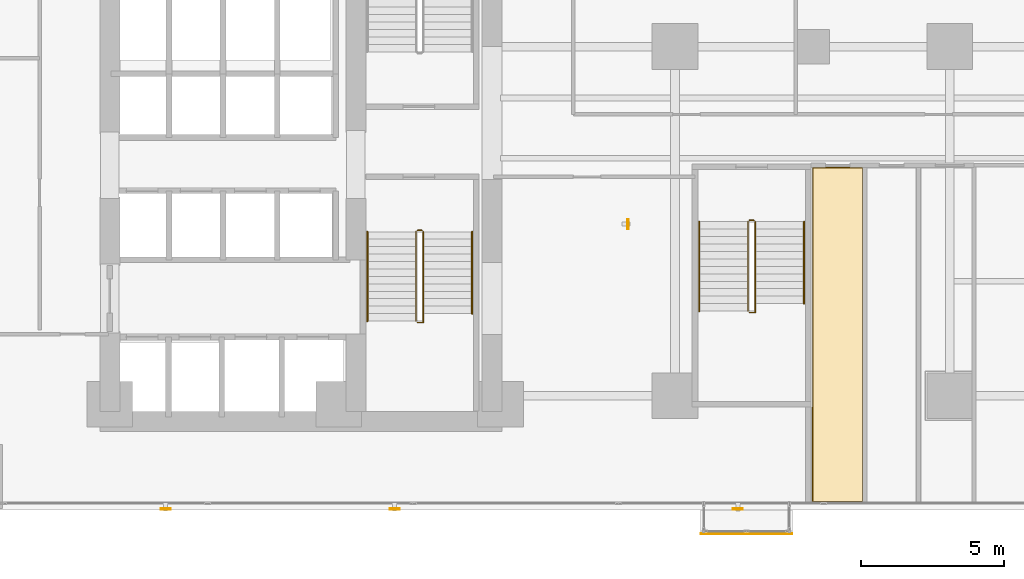
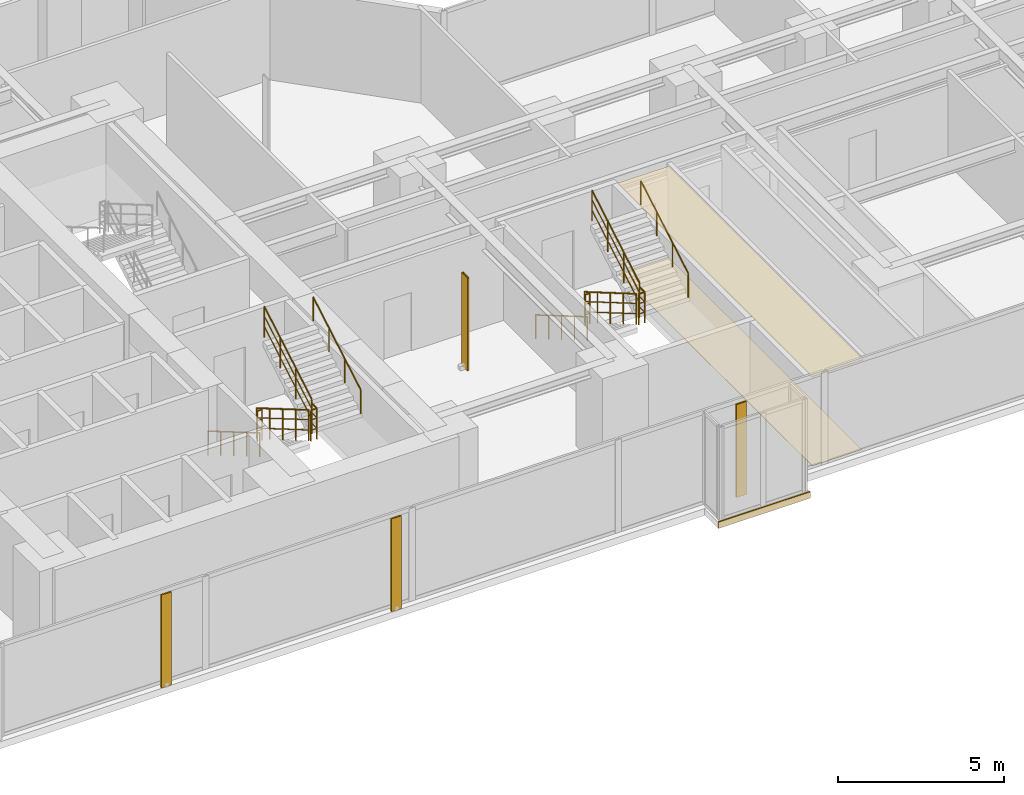
# One storey, part 26 of 28: 12 railings, 4 shading devices, 3 coverings.
"""IFC4 building model written with IfcOpenShell, lengths in metres."""

from ifc_helpers import new_model, si_unit, direction, frame, origin, origin_2d, place, context, subcontext, project, spatial, polyline, rectangle, hollow_rectangle, circle, outline, extrude, material, layer, layer_set, material_profile, profile_set, type_object, element, save


model = new_model("IFC4")

# Units and contexts
model_context = context("Model", 3, precision=1e-05, world=origin(), true_north=direction((0.0, 1.0)))
body_context = subcontext(model_context, "Body", "Model", "MODEL_VIEW")
ifc_project = project(units=[si_unit("LENGTHUNIT", "METRE"), si_unit("AREAUNIT", "SQUARE_METRE"), si_unit("VOLUMEUNIT", "CUBIC_METRE"), si_unit("PLANEANGLEUNIT", "RADIAN"), si_unit("MASSUNIT", "GRAM", prefix="KILO")], contexts=[model_context])

# Site, building, storey
site_placement = place(None, origin())
site = spatial("IfcSite", under=ifc_project, at=site_placement, CompositionType="ELEMENT")
building_placement = place(site_placement, origin())
building = spatial("IfcBuilding", under=site, at=building_placement, Name="Kolvaren Waterfront Exchange", CompositionType="ELEMENT")
storey_placement = place(building_placement, frame((0.0, 0.0, 79.0)))
storey = spatial("IfcBuildingStorey", under=building, at=storey_placement, Name="L20", CompositionType="ELEMENT", Elevation=79.0)

# Coverings
ifc_material_1 = material(Name="Mineral fibre acoustic ceiling tile")
ifc_layer_1 = layer(ifc_material_1, 0.02490234375, Name="Mineral fibre acoustic ceiling tile")
ifc_layer_set_1 = layer_set([ifc_layer_1], Name="Mineral fibre acoustic ceiling tile")
covering_type_1 = type_object("IfcCoveringType", Name="ARC-CEIL-ACOUSTIC-25", PredefinedType="CEILING", material=ifc_layer_set_1)
covering_1_placement = place(storey_placement, frame((0.0, 0.0, 3.304931640625)))
element("IfcCovering", 1, at=covering_1_placement, inside=storey, type_object=covering_type_1, Name="L20 acoustic suspended ceiling 1", PredefinedType="CEILING", context=body_context, shape_type="SweptSolid", body=[
    extrude(outline(polyline([(33.784912109375, 1.465087890625), (33.784912109375, 13.195068359375), (32.0, 13.195068359375), (32.0, 4.800048828125), (31.9951171875, 4.800048828125), (31.9951171875, 1.465087890625), (33.784912109375, 1.465087890625)])), origin(), (0.0, 0.0, 1.0), 0.025146484375),
])
ifc_material_2 = material(Name="Anodised bronze fascia aluminium", Category="aluminium")
ifc_layer_2 = layer(ifc_material_2, 0.034912109375, Name="Anodised bronze fascia aluminium")
ifc_layer_set_2 = layer_set([ifc_layer_2], Name="Anodised bronze fascia aluminium")
covering_type_2 = type_object("IfcCoveringType", Name="ARC-CLAD-BRONZE-35", PredefinedType="CLADDING", material=ifc_layer_set_2)
covering_2_placement = place(storey_placement, frame((29.699951171875, 0.3701171875, -0.22021484375), z_axis=(0.0, 0.0, 1.0), x_axis=(1.0, 0.0, 0.0)))
element("IfcCovering", 2, at=covering_2_placement, inside=storey, type_object=covering_type_2, Name="L20 ribbed anodised bronze bay-box fascia", PredefinedType="CLADDING", context=body_context, shape_type="SweptSolid", body=[
    extrude(rectangle(XDim=3.199951171875, YDim=0.034912109375, at=origin_2d()), origin(), (0.0, 0.0, 1.0), 0.239990234375),
])

# Shading devices
ifc_material_3 = material(Name="Anodised bronze aluminium 6063-T6", Category="aluminium")
ifc_material_profile = material_profile(ifc_material_3, hollow_rectangle(XDim=0.06005859375, YDim=0.35009765625, WallThickness=0.0048828125, at=origin_2d()), Name="BRZ-FIN-350x60x5")
ifc_profile_set = profile_set([ifc_material_profile], Name="Anodised bronze aluminium 6063-T6")
shading_device_type = type_object("IfcShadingDeviceType", Name="ARC-FIN-350", PredefinedType="USERDEFINED", material=ifc_profile_set)
for number, where, z_axis, x_axis, name in (
    (3, (9.39990234375, 1.239990234375, 0.0), (0.0, 0.0, 1.0), (0.0, -1.0, 0.0), "L20 anodised bronze solar shading fin FIN-L20-S1"),
    (4, (17.39990234375, 1.239990234375, 0.0), (0.0, 0.0, 1.0), (0.0, -1.0, 0.0), "L20 anodised bronze solar shading fin FIN-L20-S2"),
    (5, (29.39990234375, 1.239990234375, 0.0), (0.0, 0.0, 1.0), (0.0, -1.0, 0.0), "L20 anodised bronze solar shading fin FIN-L20-S3"),
    (6, (25.56005859375, 11.199951171875, 0.0), (0.0, 0.0, 1.0), (1.0, 0.0, 0.0), "L20 anodised bronze solar shading fin FIN-L20-E1"),
):
    element("IfcShadingDevice", number, at=place(storey_placement, frame(where, z_axis=z_axis, x_axis=x_axis)), inside=storey, type_object=shading_device_type, Name=name, ObjectType="SOLAR FIN", PredefinedType="USERDEFINED", context=body_context, shape_type="SweptSolid", body=[
        extrude(hollow_rectangle(XDim=0.06005859375, YDim=0.35009765625, WallThickness=0.0048828125, at=origin_2d()), origin(), (0.0, 0.0, 1.0), 3.419921875),
    ])

# Covering
ifc_material_4 = material(Name="Slip-resistant porcelain tile")
ifc_layer_3 = layer(ifc_material_4, 0.014892578125, Name="Slip-resistant porcelain tile")
ifc_layer_set_3 = layer_set([ifc_layer_3], Name="Slip-resistant porcelain tile")
covering_type_3 = type_object("IfcCoveringType", Name="ARC-FLR-PORC-15", PredefinedType="FLOORING", material=ifc_layer_set_3)
covering_3_placement = place(storey_placement, origin())
element("IfcCovering", 7, at=covering_3_placement, inside=storey, type_object=covering_type_3, Name="L20 floor finish 1", PredefinedType="FLOORING", context=body_context, shape_type="SweptSolid", body=[
    extrude(outline(polyline([(32.030029296875, 13.159912109375), (32.030029296875, 1.5), (33.75, 1.5), (33.75, 13.159912109375), (32.030029296875, 13.159912109375)])), origin(), (0.0, 0.0, 1.0), 0.014892578125),
])

# Railings
ifc_material_5 = material(Name="Stainless steel 316", Category="steel")
railing_type_1 = type_object("IfcRailingType", Name="ARC-GUARD-STAIR", PredefinedType="GUARDRAIL", material=ifc_material_5)
railing_1_placement = place(storey_placement, frame((18.14990234375, 10.929931640625, 0.152099609375)))
element("IfcRailing", 8, at=railing_1_placement, inside=storey, type_object=railing_type_1, Name="L20 ST1 stair guard 1", PredefinedType="GUARDRAIL", context=body_context, shape_type="SweptSolid", body=[
    extrude(circle(Radius=0.02392578125, at=origin_2d()), frame((0.0, 0.0, 1.1259765625), z_axis=(0.0, -0.86329090724, 0.504706656858), x_axis=(1.0, 0.0, 0.0)), (0.0, 0.0, 1.0), 3.614013671875),
    extrude(circle(Radius=0.01611328125, at=origin_2d()), frame((0.0, 0.0, 0.390869140625), z_axis=(0.0, -0.86329090724, 0.504706656858), x_axis=(1.0, 0.0, 0.0)), (0.0, 0.0, 1.0), 3.614013671875),
    extrude(circle(Radius=0.01611328125, at=origin_2d()), frame((0.0, 0.0, 0.7705078125), z_axis=(0.0, -0.86329090724, 0.504706656858), x_axis=(1.0, 0.0, 0.0)), (0.0, 0.0, 1.0), 3.614013671875),
    extrude(circle(Radius=0.02099609375, at=origin_2d()), origin(), (0.0, 0.0, 1.0), 1.101806640625),
    extrude(circle(Radius=0.02099609375, at=origin_2d()), frame((0.0, -0.780029296875, 0.4560546875)), (0.0, 0.0, 1.0), 1.101806640625),
    extrude(circle(Radius=0.02099609375, at=origin_2d()), frame((0.0, -1.56005859375, 0.912109375)), (0.0, 0.0, 1.0), 1.101806640625),
    extrude(circle(Radius=0.02099609375, at=origin_2d()), frame((0.0, -2.33984375, 1.367919921875)), (0.0, 0.0, 1.0), 1.101806640625),
    extrude(circle(Radius=0.02099609375, at=origin_2d()), frame((0.0, -3.119873046875, 1.823974609375)), (0.0, 0.0, 1.0), 1.101806640625),
])
railing_2_placement = place(storey_placement, frame((18.199951171875, 7.760009765625, 1.97607421875)))
element("IfcRailing", 9, at=railing_2_placement, inside=storey, type_object=railing_type_1, Name="L20 ST1 stair guard 2", PredefinedType="GUARDRAIL", context=body_context, shape_type="SweptSolid", body=[
    extrude(circle(Radius=0.02392578125, at=origin_2d()), frame((0.0, 0.0, 1.1259765625), z_axis=(1.0, 0.0, 0.0), x_axis=(0.0, 1.0, 0.0)), (0.0, 0.0, 1.0), 0.2099609375),
    extrude(circle(Radius=0.01611328125, at=origin_2d()), frame((0.0, 0.0, 0.390869140625), z_axis=(1.0, 0.0, 0.0), x_axis=(0.0, 1.0, 0.0)), (0.0, 0.0, 1.0), 0.2099609375),
    extrude(circle(Radius=0.01611328125, at=origin_2d()), frame((0.0, 0.0, 0.7705078125), z_axis=(1.0, 0.0, 0.0), x_axis=(0.0, 1.0, 0.0)), (0.0, 0.0, 1.0), 0.2099609375),
    extrude(circle(Radius=0.02392578125, at=origin_2d()), frame((0.2099609375, 0.0, 1.1259765625), z_axis=(0.0, 1.0, 0.0), x_axis=(-1.0, 0.0, 0.0)), (0.0, 0.0, 1.0), 0.31005859375),
    extrude(circle(Radius=0.01611328125, at=origin_2d()), frame((0.2099609375, 0.0, 0.390869140625), z_axis=(0.0, 1.0, 0.0), x_axis=(-1.0, 0.0, 0.0)), (0.0, 0.0, 1.0), 0.31005859375),
    extrude(circle(Radius=0.01611328125, at=origin_2d()), frame((0.2099609375, 0.0, 0.7705078125), z_axis=(0.0, 1.0, 0.0), x_axis=(-1.0, 0.0, 0.0)), (0.0, 0.0, 1.0), 0.31005859375),
    extrude(circle(Radius=0.02099609375, at=origin_2d()), origin(), (0.0, 0.0, 1.0), 1.101806640625),
    extrude(circle(Radius=0.02099609375, at=origin_2d()), frame((0.2099609375, 0.0, 0.0)), (0.0, 0.0, 1.0), 1.101806640625),
    extrude(circle(Radius=0.02099609375, at=origin_2d()), frame((0.2099609375, 0.31005859375, 0.0)), (0.0, 0.0, 1.0), 1.101806640625),
])
railing_3_placement = place(storey_placement, frame((18.409912109375, 8.070068359375, 2.1279296875)))
element("IfcRailing", 10, at=railing_3_placement, inside=storey, type_object=railing_type_1, Name="L20 ST1 stair guard 3", PredefinedType="GUARDRAIL", context=body_context, shape_type="SweptSolid", body=[
    extrude(circle(Radius=0.02392578125, at=origin_2d()), frame((0.0, 0.0, 1.1259765625), z_axis=(0.0, 0.863270611444, 0.50474137082), x_axis=(-1.0, 0.0, 0.0)), (0.0, 0.0, 1.0), 3.312744140625),
    extrude(circle(Radius=0.01611328125, at=origin_2d()), frame((0.0, 0.0, 0.390869140625), z_axis=(0.0, 0.863270611444, 0.50474137082), x_axis=(-1.0, 0.0, 0.0)), (0.0, 0.0, 1.0), 3.312744140625),
    extrude(circle(Radius=0.01611328125, at=origin_2d()), frame((0.0, 0.0, 0.7705078125), z_axis=(0.0, 0.863270611444, 0.50474137082), x_axis=(-1.0, 0.0, 0.0)), (0.0, 0.0, 1.0), 3.312744140625),
    extrude(circle(Radius=0.02099609375, at=origin_2d()), origin(), (0.0, 0.0, 1.0), 1.101806640625),
    extrude(circle(Radius=0.02099609375, at=origin_2d()), frame((0.0, 0.953369140625, 0.557373046875)), (0.0, 0.0, 1.0), 1.101806640625),
    extrude(circle(Radius=0.02099609375, at=origin_2d()), frame((0.0, 1.906494140625, 1.11474609375)), (0.0, 0.0, 1.0), 1.101806640625),
    extrude(circle(Radius=0.02099609375, at=origin_2d()), frame((0.0, 2.85986328125, 1.672119140625)), (0.0, 0.0, 1.0), 1.101806640625),
])
railing_4_placement = place(storey_placement, frame((18.199951171875, 10.97998046875, 0.0)))
element("IfcRailing", 11, at=railing_4_placement, inside=storey, type_object=railing_type_1, Name="L20 ST1 stair guard 4", PredefinedType="GUARDRAIL", context=body_context, shape_type="SweptSolid", body=[
    extrude(circle(Radius=0.02392578125, at=origin_2d()), frame((0.0, 0.0, 1.1259765625), z_axis=(1.0, 0.0, 0.0), x_axis=(0.0, 1.0, 0.0)), (0.0, 0.0, 1.0), 0.16015625),
    extrude(circle(Radius=0.01611328125, at=origin_2d()), frame((0.0, 0.0, 0.390869140625), z_axis=(1.0, 0.0, 0.0), x_axis=(0.0, 1.0, 0.0)), (0.0, 0.0, 1.0), 0.16015625),
    extrude(circle(Radius=0.01611328125, at=origin_2d()), frame((0.0, 0.0, 0.7705078125), z_axis=(1.0, 0.0, 0.0), x_axis=(0.0, 1.0, 0.0)), (0.0, 0.0, 1.0), 0.16015625),
    extrude(circle(Radius=0.02099609375, at=origin_2d()), origin(), (0.0, 0.0, 1.0), 1.101806640625),
    extrude(circle(Radius=0.02099609375, at=origin_2d()), frame((0.16015625, 0.0, 0.0)), (0.0, 0.0, 1.0), 1.101806640625),
])
railing_5_placement = place(storey_placement, frame((29.75, 11.280029296875, 0.152099609375)))
element("IfcRailing", 12, at=railing_5_placement, inside=storey, type_object=railing_type_1, Name="L20 ST3 stair guard 1", PredefinedType="GUARDRAIL", context=body_context, shape_type="SweptSolid", body=[
    extrude(circle(Radius=0.02392578125, at=origin_2d()), frame((0.0, 0.0, 1.1259765625), z_axis=(0.0, -0.86330811405, 0.504677223793), x_axis=(1.0, 0.0, 0.0)), (0.0, 0.0, 1.0), 3.6142578125),
    extrude(circle(Radius=0.01611328125, at=origin_2d()), frame((0.0, 0.0, 0.390869140625), z_axis=(0.0, -0.86330811405, 0.504677223793), x_axis=(1.0, 0.0, 0.0)), (0.0, 0.0, 1.0), 3.6142578125),
    extrude(circle(Radius=0.01611328125, at=origin_2d()), frame((0.0, 0.0, 0.7705078125), z_axis=(0.0, -0.86330811405, 0.504677223793), x_axis=(1.0, 0.0, 0.0)), (0.0, 0.0, 1.0), 3.6142578125),
    extrude(circle(Radius=0.02099609375, at=origin_2d()), origin(), (0.0, 0.0, 1.0), 1.101806640625),
    extrude(circle(Radius=0.02099609375, at=origin_2d()), frame((0.0, -0.780029296875, 0.4560546875)), (0.0, 0.0, 1.0), 1.101806640625),
    extrude(circle(Radius=0.02099609375, at=origin_2d()), frame((0.0, -1.56005859375, 0.912109375)), (0.0, 0.0, 1.0), 1.101806640625),
    extrude(circle(Radius=0.02099609375, at=origin_2d()), frame((0.0, -2.340087890625, 1.367919921875)), (0.0, 0.0, 1.0), 1.101806640625),
    extrude(circle(Radius=0.02099609375, at=origin_2d()), frame((0.0, -3.1201171875, 1.823974609375)), (0.0, 0.0, 1.0), 1.101806640625),
])
railing_6_placement = place(storey_placement, frame((29.800048828125, 8.110107421875, 1.97607421875)))
element("IfcRailing", 13, at=railing_6_placement, inside=storey, type_object=railing_type_1, Name="L20 ST3 stair guard 2", PredefinedType="GUARDRAIL", context=body_context, shape_type="SweptSolid", body=[
    extrude(circle(Radius=0.02392578125, at=origin_2d()), frame((0.0, 0.0, 1.1259765625), z_axis=(1.0, 0.0, 0.0), x_axis=(0.0, 1.0, 0.0)), (0.0, 0.0, 1.0), 0.2099609375),
    extrude(circle(Radius=0.01611328125, at=origin_2d()), frame((0.0, 0.0, 0.390869140625), z_axis=(1.0, 0.0, 0.0), x_axis=(0.0, 1.0, 0.0)), (0.0, 0.0, 1.0), 0.2099609375),
    extrude(circle(Radius=0.01611328125, at=origin_2d()), frame((0.0, 0.0, 0.7705078125), z_axis=(1.0, 0.0, 0.0), x_axis=(0.0, 1.0, 0.0)), (0.0, 0.0, 1.0), 0.2099609375),
    extrude(circle(Radius=0.02392578125, at=origin_2d()), frame((0.2099609375, 0.0, 1.1259765625), z_axis=(0.0, 1.0, 0.0), x_axis=(-1.0, 0.0, 0.0)), (0.0, 0.0, 1.0), 0.309814453125),
    extrude(circle(Radius=0.01611328125, at=origin_2d()), frame((0.2099609375, 0.0, 0.390869140625), z_axis=(0.0, 1.0, 0.0), x_axis=(-1.0, 0.0, 0.0)), (0.0, 0.0, 1.0), 0.309814453125),
    extrude(circle(Radius=0.01611328125, at=origin_2d()), frame((0.2099609375, 0.0, 0.7705078125), z_axis=(0.0, 1.0, 0.0), x_axis=(-1.0, 0.0, 0.0)), (0.0, 0.0, 1.0), 0.309814453125),
    extrude(circle(Radius=0.02099609375, at=origin_2d()), origin(), (0.0, 0.0, 1.0), 1.101806640625),
    extrude(circle(Radius=0.02099609375, at=origin_2d()), frame((0.2099609375, 0.0, 0.0)), (0.0, 0.0, 1.0), 1.101806640625),
    extrude(circle(Radius=0.02099609375, at=origin_2d()), frame((0.2099609375, 0.309814453125, 0.0)), (0.0, 0.0, 1.0), 1.101806640625),
])
railing_7_placement = place(storey_placement, frame((30.010009765625, 8.419921875, 2.1279296875)))
element("IfcRailing", 14, at=railing_7_placement, inside=storey, type_object=railing_type_1, Name="L20 ST3 stair guard 3", PredefinedType="GUARDRAIL", context=body_context, shape_type="SweptSolid", body=[
    extrude(circle(Radius=0.02392578125, at=origin_2d()), frame((0.0, 0.0, 1.1259765625), z_axis=(0.0, 0.863289384635, 0.504709261235), x_axis=(-1.0, 0.0, 0.0)), (0.0, 0.0, 1.0), 3.31298828125),
    extrude(circle(Radius=0.01611328125, at=origin_2d()), frame((0.0, 0.0, 0.390869140625), z_axis=(0.0, 0.863289384635, 0.504709261235), x_axis=(-1.0, 0.0, 0.0)), (0.0, 0.0, 1.0), 3.31298828125),
    extrude(circle(Radius=0.01611328125, at=origin_2d()), frame((0.0, 0.0, 0.7705078125), z_axis=(0.0, 0.863289384635, 0.504709261235), x_axis=(-1.0, 0.0, 0.0)), (0.0, 0.0, 1.0), 3.31298828125),
    extrude(circle(Radius=0.02099609375, at=origin_2d()), origin(), (0.0, 0.0, 1.0), 1.101806640625),
    extrude(circle(Radius=0.02099609375, at=origin_2d()), frame((0.0, 0.953369140625, 0.557373046875)), (0.0, 0.0, 1.0), 1.101806640625),
    extrude(circle(Radius=0.02099609375, at=origin_2d()), frame((0.0, 1.90673828125, 1.11474609375)), (0.0, 0.0, 1.0), 1.101806640625),
    extrude(circle(Radius=0.02099609375, at=origin_2d()), frame((0.0, 2.860107421875, 1.672119140625)), (0.0, 0.0, 1.0), 1.101806640625),
])
railing_8_placement = place(storey_placement, frame((29.800048828125, 11.330078125, 0.0)))
element("IfcRailing", 15, at=railing_8_placement, inside=storey, type_object=railing_type_1, Name="L20 ST3 stair guard 4", PredefinedType="GUARDRAIL", context=body_context, shape_type="SweptSolid", body=[
    extrude(circle(Radius=0.02392578125, at=origin_2d()), frame((0.0, 0.0, 1.1259765625), z_axis=(1.0, 0.0, 0.0), x_axis=(0.0, 1.0, 0.0)), (0.0, 0.0, 1.0), 0.159912109375),
    extrude(circle(Radius=0.01611328125, at=origin_2d()), frame((0.0, 0.0, 0.390869140625), z_axis=(1.0, 0.0, 0.0), x_axis=(0.0, 1.0, 0.0)), (0.0, 0.0, 1.0), 0.159912109375),
    extrude(circle(Radius=0.01611328125, at=origin_2d()), frame((0.0, 0.0, 0.7705078125), z_axis=(1.0, 0.0, 0.0), x_axis=(0.0, 1.0, 0.0)), (0.0, 0.0, 1.0), 0.159912109375),
    extrude(circle(Radius=0.02099609375, at=origin_2d()), origin(), (0.0, 0.0, 1.0), 1.101806640625),
    extrude(circle(Radius=0.02099609375, at=origin_2d()), frame((0.159912109375, 0.0, 0.0)), (0.0, 0.0, 1.0), 1.101806640625),
])
railing_type_2 = type_object("IfcRailingType", Name="ARC-HANDRAIL-900", PredefinedType="HANDRAIL", material=ifc_material_5)
railing_9_placement = place(storey_placement, frame((16.449951171875, 10.929931640625, 0.152099609375)))
element("IfcRailing", 16, at=railing_9_placement, inside=storey, type_object=railing_type_2, Name="L20 ST1 stair handrail 1", PredefinedType="HANDRAIL", context=body_context, shape_type="SweptSolid", body=[
    extrude(circle(Radius=0.02392578125, at=origin_2d()), frame((0.0, 0.0, 0.8759765625), z_axis=(0.0, -0.86329090724, 0.504706656858), x_axis=(1.0, 0.0, 0.0)), (0.0, 0.0, 1.0), 3.614013671875),
    extrude(circle(Radius=0.02099609375, at=origin_2d()), origin(), (0.0, 0.0, 1.0), 0.851806640625),
    extrude(circle(Radius=0.02099609375, at=origin_2d()), frame((0.0, -0.780029296875, 0.4560546875)), (0.0, 0.0, 1.0), 0.851806640625),
    extrude(circle(Radius=0.02099609375, at=origin_2d()), frame((0.0, -1.56005859375, 0.912109375)), (0.0, 0.0, 1.0), 0.851806640625),
    extrude(circle(Radius=0.02099609375, at=origin_2d()), frame((0.0, -2.33984375, 1.367919921875)), (0.0, 0.0, 1.0), 0.851806640625),
    extrude(circle(Radius=0.02099609375, at=origin_2d()), frame((0.0, -3.119873046875, 1.823974609375)), (0.0, 0.0, 1.0), 0.851806640625),
])
railing_10_placement = place(storey_placement, frame((20.110107421875, 8.070068359375, 2.1279296875)))
element("IfcRailing", 17, at=railing_10_placement, inside=storey, type_object=railing_type_2, Name="L20 ST1 stair handrail 2", PredefinedType="HANDRAIL", context=body_context, shape_type="SweptSolid", body=[
    extrude(circle(Radius=0.02392578125, at=origin_2d()), frame((0.0, 0.0, 0.8759765625), z_axis=(0.0, 0.863270611444, 0.50474137082), x_axis=(-1.0, 0.0, 0.0)), (0.0, 0.0, 1.0), 3.312744140625),
    extrude(circle(Radius=0.02099609375, at=origin_2d()), origin(), (0.0, 0.0, 1.0), 0.851806640625),
    extrude(circle(Radius=0.02099609375, at=origin_2d()), frame((0.0, 0.953369140625, 0.557373046875)), (0.0, 0.0, 1.0), 0.851806640625),
    extrude(circle(Radius=0.02099609375, at=origin_2d()), frame((0.0, 1.906494140625, 1.11474609375)), (0.0, 0.0, 1.0), 0.851806640625),
    extrude(circle(Radius=0.02099609375, at=origin_2d()), frame((0.0, 2.85986328125, 1.672119140625)), (0.0, 0.0, 1.0), 0.851806640625),
])
railing_11_placement = place(storey_placement, frame((28.050048828125, 11.280029296875, 0.152099609375)))
element("IfcRailing", 18, at=railing_11_placement, inside=storey, type_object=railing_type_2, Name="L20 ST3 stair handrail 1", PredefinedType="HANDRAIL", context=body_context, shape_type="SweptSolid", body=[
    extrude(circle(Radius=0.02392578125, at=origin_2d()), frame((0.0, 0.0, 0.8759765625), z_axis=(0.0, -0.86330811405, 0.504677223793), x_axis=(1.0, 0.0, 0.0)), (0.0, 0.0, 1.0), 3.6142578125),
    extrude(circle(Radius=0.02099609375, at=origin_2d()), origin(), (0.0, 0.0, 1.0), 0.851806640625),
    extrude(circle(Radius=0.02099609375, at=origin_2d()), frame((0.0, -0.780029296875, 0.4560546875)), (0.0, 0.0, 1.0), 0.851806640625),
    extrude(circle(Radius=0.02099609375, at=origin_2d()), frame((0.0, -1.56005859375, 0.912109375)), (0.0, 0.0, 1.0), 0.851806640625),
    extrude(circle(Radius=0.02099609375, at=origin_2d()), frame((0.0, -2.340087890625, 1.367919921875)), (0.0, 0.0, 1.0), 0.851806640625),
    extrude(circle(Radius=0.02099609375, at=origin_2d()), frame((0.0, -3.1201171875, 1.823974609375)), (0.0, 0.0, 1.0), 0.851806640625),
])
railing_12_placement = place(storey_placement, frame((31.7099609375, 8.419921875, 2.1279296875)))
element("IfcRailing", 19, at=railing_12_placement, inside=storey, type_object=railing_type_2, Name="L20 ST3 stair handrail 2", PredefinedType="HANDRAIL", context=body_context, shape_type="SweptSolid", body=[
    extrude(circle(Radius=0.02392578125, at=origin_2d()), frame((0.0, 0.0, 0.8759765625), z_axis=(0.0, 0.863289384635, 0.504709261235), x_axis=(-1.0, 0.0, 0.0)), (0.0, 0.0, 1.0), 3.31298828125),
    extrude(circle(Radius=0.02099609375, at=origin_2d()), origin(), (0.0, 0.0, 1.0), 0.851806640625),
    extrude(circle(Radius=0.02099609375, at=origin_2d()), frame((0.0, 0.953369140625, 0.557373046875)), (0.0, 0.0, 1.0), 0.851806640625),
    extrude(circle(Radius=0.02099609375, at=origin_2d()), frame((0.0, 1.90673828125, 1.11474609375)), (0.0, 0.0, 1.0), 0.851806640625),
    extrude(circle(Radius=0.02099609375, at=origin_2d()), frame((0.0, 2.860107421875, 1.672119140625)), (0.0, 0.0, 1.0), 0.851806640625),
])

save(model, "model.ifc")
